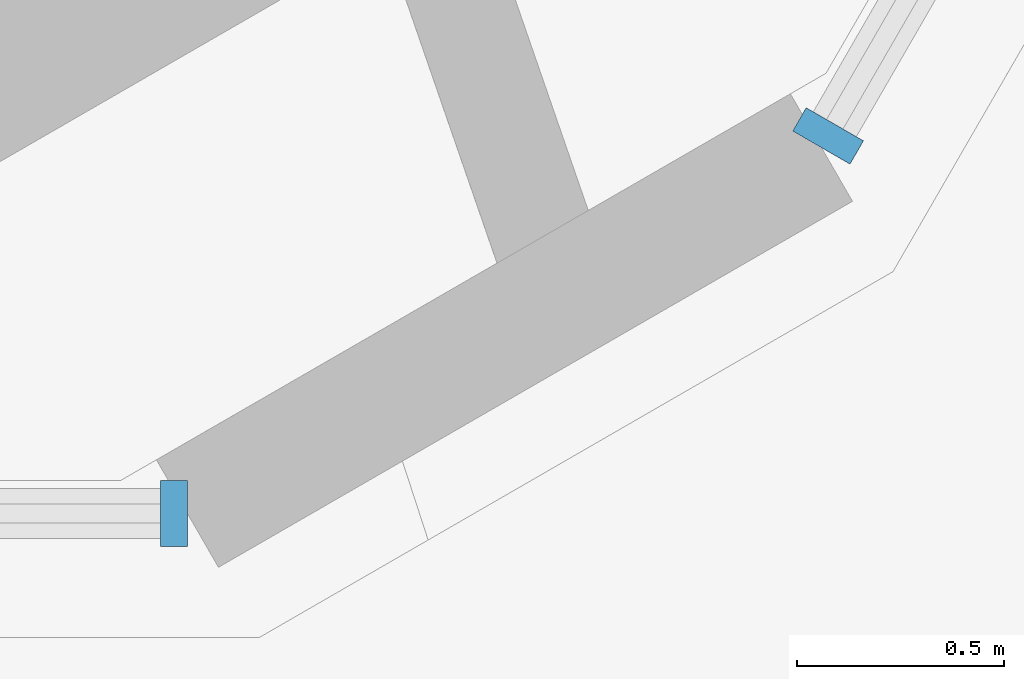
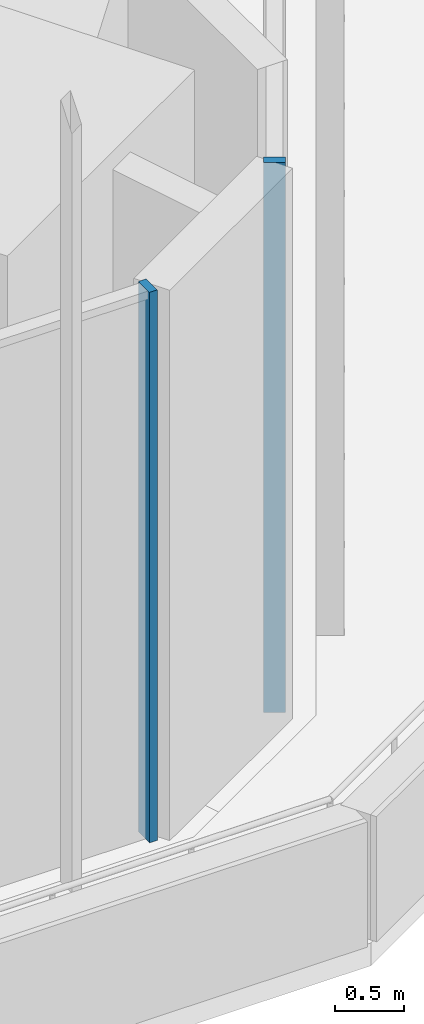
# One storey, part 76 of 228: 2 members, 2 elements without a shape of their own.
"""IFC4 building model written with IfcOpenShell, lengths in metres."""

from ifc_helpers import new_model, si_unit, direction, frame, origin, origin_2d, place, context, subcontext, project, spatial, rectangle, extrude, material, material_profile, profile_set, type_object, element, aggregate, save


model = new_model("IFC4")

# Units and contexts
model_context = context("Model", 3, precision=1e-05, world=origin(), true_north=direction((0.0, 1.0)))
body_context = subcontext(model_context, "Body", "Model", "MODEL_VIEW")
ifc_project = project(units=[si_unit("LENGTHUNIT", "METRE"), si_unit("AREAUNIT", "SQUARE_METRE"), si_unit("VOLUMEUNIT", "CUBIC_METRE"), si_unit("PLANEANGLEUNIT", "RADIAN"), si_unit("MASSUNIT", "GRAM", prefix="KILO")], contexts=[model_context])

# Site, building, storey
site_placement = place(None, origin())
site = spatial("IfcSite", under=ifc_project, at=site_placement, CompositionType="ELEMENT")
building_placement = place(site_placement, origin())
building = spatial("IfcBuilding", under=site, at=building_placement, Name="Sandreach Pilgrim Tower", CompositionType="ELEMENT")
storey_placement = place(building_placement, frame((0.0, 0.0, 178.199951171875)))
storey = spatial("IfcBuildingStorey", under=building, at=storey_placement, Name="L44", CompositionType="ELEMENT", Elevation=178.199951171875)

# Curtain wall, member
ifc_material_1 = material(Name="Aluminium framed curtain wall", Category="aluminium")
curtain_wall_type = type_object("IfcCurtainWallType", Name="Upper hotel tower curtain wall", PredefinedType="NOTDEFINED", material=ifc_material_1)
curtain_wall_1_placement = place(storey_placement, origin())
curtain_wall_1 = element("IfcCurtainWall", 1, at=curtain_wall_1_placement, inside=storey, type_object=curtain_wall_type, Name="CW-3 L44 SE", PredefinedType="NOTDEFINED")
ifc_material_2 = material(Name="Aluminium extrusion", Category="aluminium")
ifc_material_profile = material_profile(ifc_material_2, rectangle(XDim=0.06494140625, YDim=0.159912109375, at=origin_2d()), Name="CW-3M 65X160")
ifc_profile_set = profile_set([ifc_material_profile], Name="Aluminium extrusion")
member_type = type_object("IfcMemberType", Name="CW-3 mullion", PredefinedType="MULLION", material=ifc_profile_set)
member_1_placement = place(storey_placement, frame((9.646484375, -25.612060546875, 0.0), z_axis=(0.0, 0.0, 1.0), x_axis=(-0.5, -0.866025403784, 0.0)))
member_1 = element("IfcMember", 2, at=member_1_placement, type_object=member_type, Name="CW-3 mullion 10", PredefinedType="MULLION", context=body_context, shape_type="SweptSolid", body=[
    extrude(rectangle(XDim=0.06494140625, YDim=0.159912109375, at=origin_2d()), origin(), (0.0, 0.0, 1.0), 4.840087890625),
])
aggregate(curtain_wall_1, [member_1])

curtain_wall_2_placement = place(storey_placement, origin())
curtain_wall_2 = element("IfcCurtainWall", 3, at=curtain_wall_2_placement, inside=storey, type_object=curtain_wall_type, Name="CW-3 L44 SA", PredefinedType="NOTDEFINED")
member_2_placement = place(storey_placement, frame((8.06494140625, -26.525146484375, 0.0), z_axis=(0.0, 0.0, 1.0), x_axis=(-1.0, 0.0, 0.0)))
member_2 = element("IfcMember", 4, at=member_2_placement, type_object=member_type, Name="CW-3 mullion 1", PredefinedType="MULLION", context=body_context, shape_type="SweptSolid", body=[
    extrude(rectangle(XDim=0.06494140625, YDim=0.159912109375, at=origin_2d()), origin(), (0.0, 0.0, 1.0), 4.840087890625),
])
aggregate(curtain_wall_2, [member_2])

save(model, "model.ifc")
